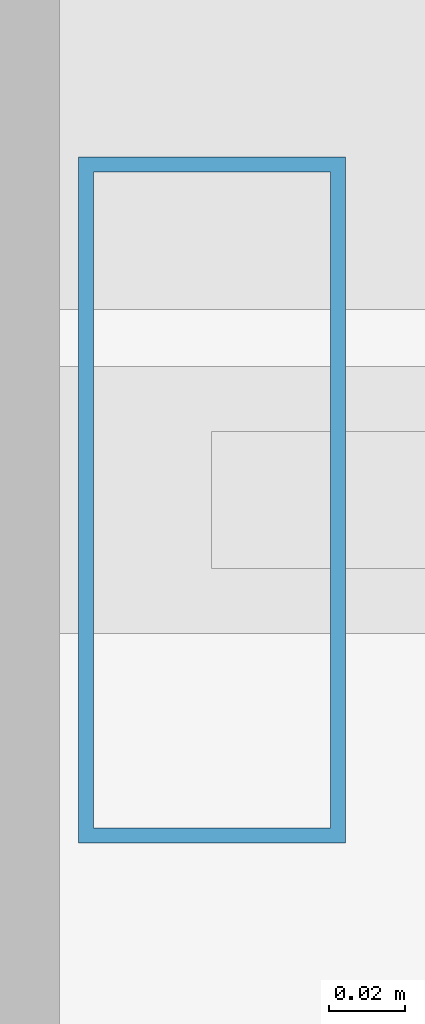
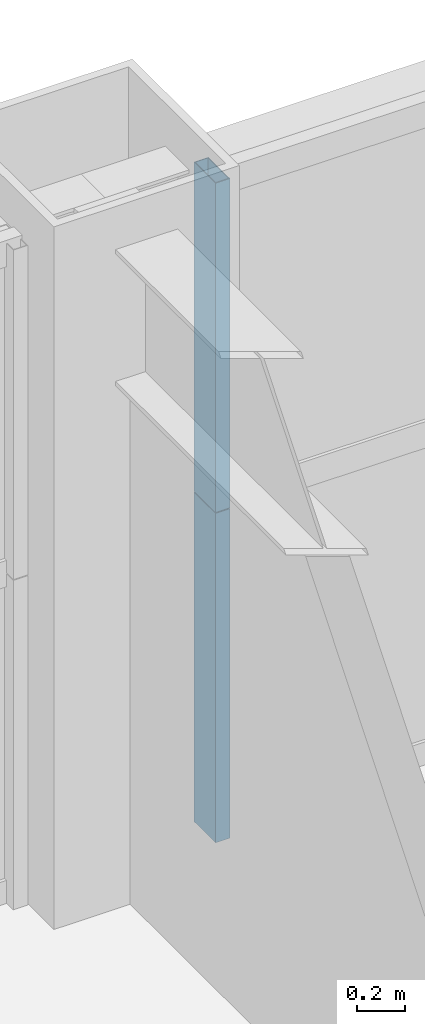
# One storey, part 30 of 43: 2 members, 1 element without a shape of its own.
"""IFC4 building model written with IfcOpenShell, lengths in metres."""

from ifc_helpers import new_model, si_unit, direction, frame, origin, origin_2d, place, context, subcontext, project, spatial, hollow_rectangle, extrude, source, transform, mapped, material, layer, layer_set, material_profile, profile_set, type_object, element, aggregate, save


model = new_model("IFC4")

# Units and contexts
model_context = context("Model", 3, precision=1e-05, world=origin(), true_north=direction((0.0, 1.0)))
body_context = subcontext(model_context, "Body", "Model", "MODEL_VIEW")
ifc_project = project(units=[si_unit("LENGTHUNIT", "METRE"), si_unit("AREAUNIT", "SQUARE_METRE"), si_unit("VOLUMEUNIT", "CUBIC_METRE"), si_unit("PLANEANGLEUNIT", "RADIAN"), si_unit("MASSUNIT", "GRAM", prefix="KILO"), si_unit("THERMODYNAMICTEMPERATUREUNIT", "KELVIN"), si_unit("POWERUNIT", "WATT")], contexts=[model_context])

# Site, building, storey
site_placement = place(None, origin())
site = spatial("IfcSite", under=ifc_project, at=site_placement, CompositionType="ELEMENT")
building_placement = place(site_placement, origin())
building = spatial("IfcBuilding", under=site, at=building_placement, Name="Yuzanri Waterfront Tower", CompositionType="ELEMENT")
storey_placement = place(building_placement, frame((0.0, 0.0, 108.199951171875)))
storey = spatial("IfcBuildingStorey", under=building, at=storey_placement, Name="L28", CompositionType="ELEMENT", Elevation=108.199951171875)

# Curtain wall, members
ifc_material_1 = material(Name="Anodized Architectural Bronze", Category="metal")
ifc_layer = layer(ifc_material_1, 0.159912109375)
ifc_layer_set = layer_set([ifc_layer], Name="Anodized Architectural Bronze")
curtain_wall_type = type_object("IfcCurtainWallType", Name="Anodized Bronze Hotel Upper-Tier Solar-Control Unitized Curtain Wall 7800", PredefinedType="NOTDEFINED", material=ifc_layer_set)
curtain_wall_placement = place(storey_placement, origin())
curtain_wall = element("IfcCurtainWall", 1, at=curtain_wall_placement, inside=storey, type_object=curtain_wall_type, Name="L28 Curtain Wall CW-L28-NR", PredefinedType="NOTDEFINED")
ifc_material_2 = material(Name="Anodized Architectural Bronze", Category="metal")
ifc_material_profile = material_profile(ifc_material_2, hollow_rectangle(XDim=0.070068359375, YDim=0.179931640625, WallThickness=0.00390625, at=origin_2d()), Name="CWM 70x180")
ifc_profile_set = profile_set([ifc_material_profile], Name="Anodized Architectural Bronze")
member_type = type_object("IfcMemberType", Name="Anodized Bronze Standard Curtain-Wall Mullion 70x180", PredefinedType="MULLION", material=ifc_profile_set)
shared_shape = source(origin(), body_context, "Body", "SweptSolid", [
    extrude(hollow_rectangle(XDim=0.070068359375, YDim=0.179931640625, WallThickness=0.00390625, at=origin_2d()), origin(), (0.0, 0.0, 1.0), 1.68798828125),
])
member_1_placement = place(storey_placement, frame((37.489990234375, 49.25, 0.0), z_axis=(0.0, 0.0, 1.0), x_axis=(1.0, 0.0, 0.0)))
member_1 = element("IfcMember", 2, at=member_1_placement, type_object=member_type, Name="CW-L28-NR Lower Mullion 00", PredefinedType="MULLION", context=body_context, shape_type="MappedRepresentation", body=[
    mapped(shared_shape, transform((0.0, 0.0, 0.0), scale=1.0)),
])
member_2_placement = place(storey_placement, frame((37.489990234375, 49.25, 1.692138671875), z_axis=(0.0, 0.0, 1.0), x_axis=(1.0, 0.0, 0.0)))
member_2 = element("IfcMember", 3, at=member_2_placement, type_object=member_type, Name="CW-L28-NR Upper Mullion 00", PredefinedType="MULLION", context=body_context, shape_type="MappedRepresentation", body=[
    mapped(shared_shape, transform((0.0, 0.0, 0.0), scale=1.0)),
])
aggregate(curtain_wall, [member_1, member_2])

save(model, "model.ifc")
